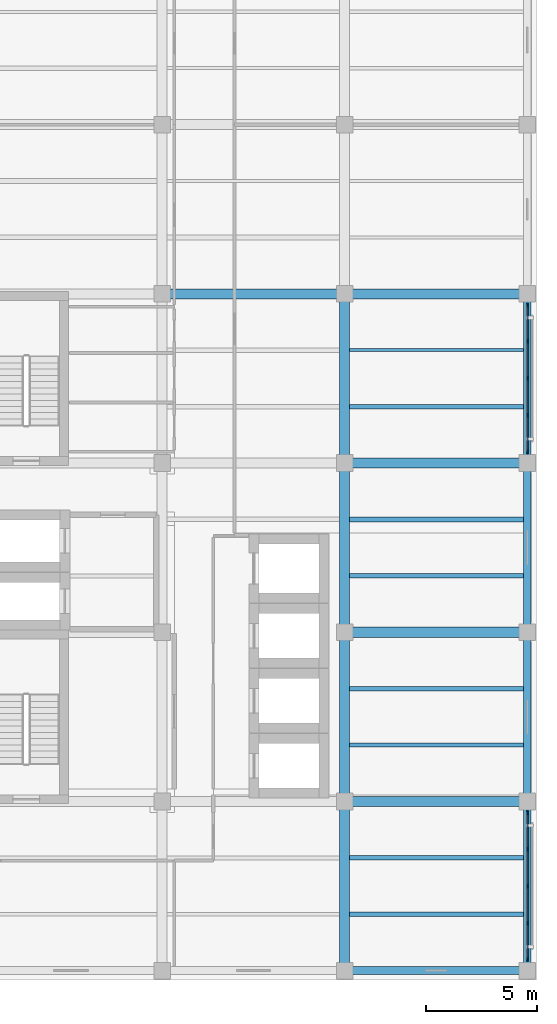
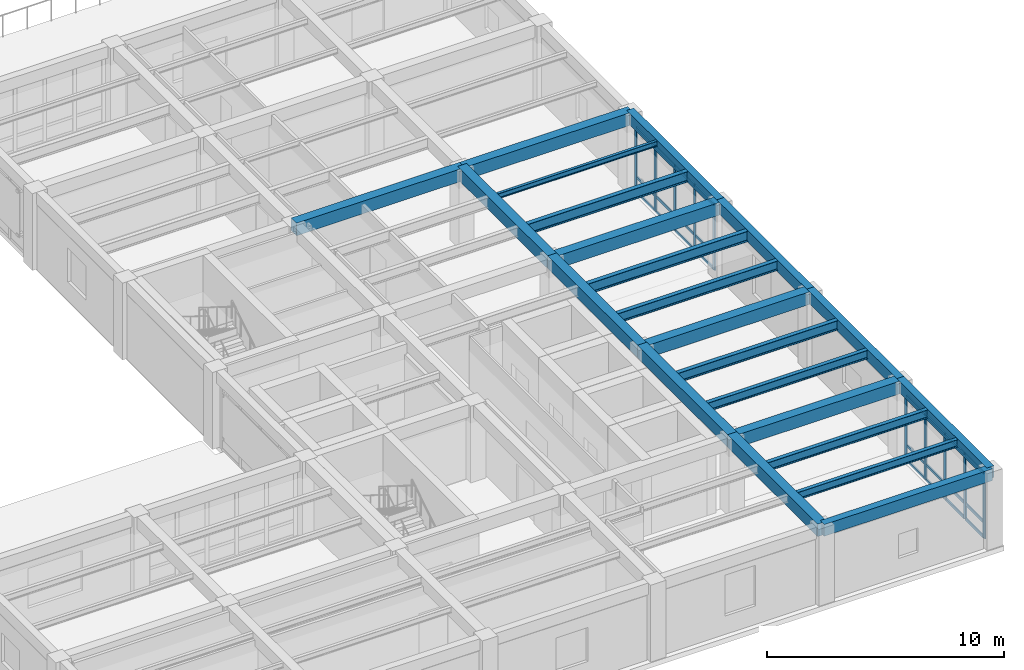
# One storey, part 3 of 12: 34 members, 22 beams, 2 elements without a shape of their own.
"""IFC4 building model written with IfcOpenShell, lengths in metres."""

from ifc_helpers import new_model, si_unit, direction, frame, origin, origin_2d, place, context, subcontext, project, spatial, rectangle, i_section, extrude, material, material_profile, profile_set, type_object, element, aggregate, save


model = new_model("IFC4")

# Units and contexts
model_context = context("Model", 3, precision=1e-05, world=origin(), true_north=direction((0.0, 1.0)))
body_context = subcontext(model_context, "Body", "Model", "MODEL_VIEW")
ifc_project = project(units=[si_unit("LENGTHUNIT", "METRE"), si_unit("AREAUNIT", "SQUARE_METRE"), si_unit("VOLUMEUNIT", "CUBIC_METRE"), si_unit("PLANEANGLEUNIT", "RADIAN"), si_unit("MASSUNIT", "GRAM", prefix="KILO")], contexts=[model_context])

# Site, building, storey
site_placement = place(None, origin())
site = spatial("IfcSite", under=ifc_project, at=site_placement, CompositionType="ELEMENT")
building_placement = place(site_placement, origin())
building = spatial("IfcBuilding", under=site, at=building_placement, Name="Qandaris Square Conservatory and Botanical Centre", CompositionType="ELEMENT")
storey_placement = place(building_placement, frame((0.0, 0.0, 53.39990234375)))
storey = spatial("IfcBuildingStorey", under=building, at=storey_placement, Name="L12", CompositionType="ELEMENT", Elevation=53.39990234375)

# Beams
ifc_material_1 = material(Name="Steel S355", Category="steel")
ifc_material_profile_1 = material_profile(ifc_material_1, i_section(OverallWidth=0.18994140625, OverallDepth=0.449951171875, WebThickness=0.009521484375, FlangeThickness=0.0146484375, FilletRadius=0.02099609375, at=origin_2d()), Name="IPE 450")
ifc_profile_set_1 = profile_set([ifc_material_profile_1], Name="Steel S355")
beam_type_1 = type_object("IfcBeamType", Name="Composite Archive Joist IPE 450", PredefinedType="JOIST", material=ifc_profile_set_1)
for number, where, z_axis, x_axis, name in (
    (1, (155.824951171875, 21.666748046875, 3.72509765625), (1.0, 0.0, 0.0), (0.0, 1.0, 0.0), "L12 Composite Joist 2723"),
    (2, (155.824951171875, 26.7333984375, 3.72509765625), (1.0, 0.0, 0.0), (0.0, 1.0, 0.0), "L12 Composite Joist 2724"),
):
    element("IfcBeam", number, at=place(storey_placement, frame(where, z_axis=z_axis, x_axis=x_axis)), inside=storey, type_object=beam_type_1, Name=name, PredefinedType="JOIST", context=body_context, shape_type="SweptSolid", body=[
        extrude(i_section(OverallWidth=0.18994140625, OverallDepth=0.449951171875, WebThickness=0.009521484375, FlangeThickness=0.0146484375, FilletRadius=0.02099609375, at=origin_2d()), origin(), (0.0, 0.0, 1.0), 7.800048828125),
    ])
ifc_material_profile_2 = material_profile(ifc_material_1, i_section(OverallWidth=0.199951171875, OverallDepth=0.5, WebThickness=0.01025390625, FlangeThickness=0.01611328125, FilletRadius=0.02099609375, at=origin_2d()), Name="IPE 500")
ifc_profile_set_2 = profile_set([ifc_material_profile_2], Name="Steel S355")
beam_type_2 = type_object("IfcBeamType", Name="Composite Gallery Joist IPE 500", PredefinedType="JOIST", material=ifc_profile_set_2)
for number, where, z_axis, x_axis, name in (
    (3, (155.824951171875, 29.2666015625, 3.7001953125), (1.0, 0.0, 0.0), (0.0, 1.0, 0.0), "L12 Composite Joist 2725"),
    (4, (155.824951171875, 34.333251953125, 3.7001953125), (1.0, 0.0, 0.0), (0.0, 1.0, 0.0), "L12 Composite Joist 2726"),
):
    element("IfcBeam", number, at=place(storey_placement, frame(where, z_axis=z_axis, x_axis=x_axis)), inside=storey, type_object=beam_type_2, Name=name, PredefinedType="JOIST", context=body_context, shape_type="SweptSolid", body=[
        extrude(i_section(OverallWidth=0.199951171875, OverallDepth=0.5, WebThickness=0.01025390625, FlangeThickness=0.01611328125, FilletRadius=0.02099609375, at=origin_2d()), origin(), (0.0, 0.0, 1.0), 7.800048828125),
    ])
ifc_material_profile_3 = material_profile(ifc_material_1, i_section(OverallWidth=0.179931640625, OverallDepth=0.39990234375, WebThickness=0.008544921875, FlangeThickness=0.013427734375, FilletRadius=0.02099609375, at=origin_2d()), Name="IPE 400")
ifc_profile_set_3 = profile_set([ifc_material_profile_3], Name="Steel S355")
beam_type_3 = type_object("IfcBeamType", Name="Composite Plinth Joist IPE 400", PredefinedType="JOIST", material=ifc_profile_set_3)
beam_1_placement = place(storey_placement, frame((155.824951171875, 19.13330078125, 3.75), z_axis=(1.0, 0.0, 0.0), x_axis=(0.0, 1.0, 0.0)))
element("IfcBeam", 5, at=beam_1_placement, inside=storey, type_object=beam_type_3, Name="L12 Composite Joist 2722", PredefinedType="JOIST", context=body_context, shape_type="SweptSolid", body=[
    extrude(i_section(OverallWidth=0.179931640625, OverallDepth=0.39990234375, WebThickness=0.008544921875, FlangeThickness=0.013427734375, FilletRadius=0.02099609375, at=origin_2d()), origin(), (0.0, 0.0, 1.0), 7.800048828125),
])

# Curtain wall, members
ifc_material_2 = material(Name="Anodised Aluminium", Category="aluminium")
curtain_wall_type = type_object("IfcCurtainWallType", Name="Unitised Curtain Wall CW-4-665x336", PredefinedType="USERDEFINED", material=ifc_material_2)
curtain_wall_1_placement = place(storey_placement, origin())
curtain_wall_1 = element("IfcCurtainWall", 6, at=curtain_wall_1_placement, inside=storey, type_object=curtain_wall_type, Name="Curtain Wall CW-TWR-L12-2-1", ObjectType="GLAZED CURTAIN WALL", PredefinedType="USERDEFINED")
ifc_material_profile_4 = material_profile(ifc_material_2, rectangle(XDim=0.06494140625, YDim=0.179931640625, at=origin_2d()), Name="ALU-MUL 65x180")
ifc_profile_set_4 = profile_set([ifc_material_profile_4], Name="Anodised Aluminium")
member_type_1 = type_object("IfcMemberType", Name="Curtain Wall Mullion 65x180", PredefinedType="MULLION", material=ifc_profile_set_4)
member_1_placement = place(storey_placement, frame((163.800048828125, 17.107421875, 0.0), z_axis=(0.0, 0.0, 1.0), x_axis=(-1.0, 0.0, 0.0)))
member_1 = element("IfcMember", 7, at=member_1_placement, type_object=member_type_1, Name="CW-4-665x336 mullion 1", PredefinedType="MULLION", context=body_context, shape_type="SweptSolid", body=[
    extrude(rectangle(XDim=0.06494140625, YDim=0.179931640625, at=origin_2d()), origin(), (0.0, 0.0, 1.0), 3.360107421875),
])
member_2_placement = place(storey_placement, frame((163.800048828125, 18.737548828125, 0.0), z_axis=(0.0, 0.0, 1.0), x_axis=(-1.0, 0.0, 0.0)))
member_2 = element("IfcMember", 8, at=member_2_placement, type_object=member_type_1, Name="CW-4-665x336 mullion 2", PredefinedType="MULLION", context=body_context, shape_type="SweptSolid", body=[
    extrude(rectangle(XDim=0.06494140625, YDim=0.179931640625, at=origin_2d()), origin(), (0.0, 0.0, 1.0), 3.360107421875),
])
member_3_placement = place(storey_placement, frame((163.800048828125, 20.39990234375, 0.0), z_axis=(0.0, 0.0, 1.0), x_axis=(-1.0, 0.0, 0.0)))
member_3 = element("IfcMember", 9, at=member_3_placement, type_object=member_type_1, Name="CW-4-665x336 mullion 3", PredefinedType="MULLION", context=body_context, shape_type="SweptSolid", body=[
    extrude(rectangle(XDim=0.06494140625, YDim=0.179931640625, at=origin_2d()), origin(), (0.0, 0.0, 1.0), 3.360107421875),
])
member_4_placement = place(storey_placement, frame((163.800048828125, 22.0625, 0.0), z_axis=(0.0, 0.0, 1.0), x_axis=(-1.0, 0.0, 0.0)))
member_4 = element("IfcMember", 10, at=member_4_placement, type_object=member_type_1, Name="CW-4-665x336 mullion 4", PredefinedType="MULLION", context=body_context, shape_type="SweptSolid", body=[
    extrude(rectangle(XDim=0.06494140625, YDim=0.179931640625, at=origin_2d()), origin(), (0.0, 0.0, 1.0), 3.360107421875),
])
member_5_placement = place(storey_placement, frame((163.800048828125, 23.6923828125, 0.0), z_axis=(0.0, 0.0, 1.0), x_axis=(-1.0, 0.0, 0.0)))
member_5 = element("IfcMember", 11, at=member_5_placement, type_object=member_type_1, Name="CW-4-665x336 mullion 5", PredefinedType="MULLION", context=body_context, shape_type="SweptSolid", body=[
    extrude(rectangle(XDim=0.06494140625, YDim=0.179931640625, at=origin_2d()), origin(), (0.0, 0.0, 1.0), 3.360107421875),
])

curtain_wall_2_placement = place(storey_placement, origin())
curtain_wall_2 = element("IfcCurtainWall", 12, at=curtain_wall_2_placement, inside=storey, type_object=curtain_wall_type, Name="Curtain Wall CW-TWR-L12-2-4", ObjectType="GLAZED CURTAIN WALL", PredefinedType="USERDEFINED")
member_6_placement = place(storey_placement, frame((163.800048828125, 39.907470703125, 0.0), z_axis=(0.0, 0.0, 1.0), x_axis=(-1.0, 0.0, 0.0)))
member_6 = element("IfcMember", 13, at=member_6_placement, type_object=member_type_1, Name="CW-4-665x336 mullion 1", PredefinedType="MULLION", context=body_context, shape_type="SweptSolid", body=[
    extrude(rectangle(XDim=0.06494140625, YDim=0.179931640625, at=origin_2d()), origin(), (0.0, 0.0, 1.0), 3.360107421875),
])
member_7_placement = place(storey_placement, frame((163.800048828125, 41.53759765625, 0.0), z_axis=(0.0, 0.0, 1.0), x_axis=(-1.0, 0.0, 0.0)))
member_7 = element("IfcMember", 14, at=member_7_placement, type_object=member_type_1, Name="CW-4-665x336 mullion 2", PredefinedType="MULLION", context=body_context, shape_type="SweptSolid", body=[
    extrude(rectangle(XDim=0.06494140625, YDim=0.179931640625, at=origin_2d()), origin(), (0.0, 0.0, 1.0), 3.360107421875),
])
member_8_placement = place(storey_placement, frame((163.800048828125, 43.199951171875, 0.0), z_axis=(0.0, 0.0, 1.0), x_axis=(-1.0, 0.0, 0.0)))
member_8 = element("IfcMember", 15, at=member_8_placement, type_object=member_type_1, Name="CW-4-665x336 mullion 3", PredefinedType="MULLION", context=body_context, shape_type="SweptSolid", body=[
    extrude(rectangle(XDim=0.06494140625, YDim=0.179931640625, at=origin_2d()), origin(), (0.0, 0.0, 1.0), 3.360107421875),
])
member_9_placement = place(storey_placement, frame((163.800048828125, 44.862548828125, 0.0), z_axis=(0.0, 0.0, 1.0), x_axis=(-1.0, 0.0, 0.0)))
member_9 = element("IfcMember", 16, at=member_9_placement, type_object=member_type_1, Name="CW-4-665x336 mullion 4", PredefinedType="MULLION", context=body_context, shape_type="SweptSolid", body=[
    extrude(rectangle(XDim=0.06494140625, YDim=0.179931640625, at=origin_2d()), origin(), (0.0, 0.0, 1.0), 3.360107421875),
])
member_10_placement = place(storey_placement, frame((163.800048828125, 46.492431640625, 0.0), z_axis=(0.0, 0.0, 1.0), x_axis=(-1.0, 0.0, 0.0)))
member_10 = element("IfcMember", 17, at=member_10_placement, type_object=member_type_1, Name="CW-4-665x336 mullion 5", PredefinedType="MULLION", context=body_context, shape_type="SweptSolid", body=[
    extrude(rectangle(XDim=0.06494140625, YDim=0.179931640625, at=origin_2d()), origin(), (0.0, 0.0, 1.0), 3.360107421875),
])

# Member
ifc_material_profile_5 = material_profile(ifc_material_2, rectangle(XDim=0.06494140625, YDim=0.139892578125, at=origin_2d()), Name="ALU-TRN 65x140")
ifc_profile_set_5 = profile_set([ifc_material_profile_5], Name="Anodised Aluminium")
member_type_2 = type_object("IfcMemberType", Name="Curtain Wall Transom 65x140", PredefinedType="USERDEFINED", material=ifc_profile_set_5)
member_11_placement = place(storey_placement, frame((163.800048828125, 17.139892578125, 0.03271484375), z_axis=(0.0, 1.0, 0.0), x_axis=(-1.0, 0.0, 0.0)))
member_11 = element("IfcMember", 18, at=member_11_placement, type_object=member_type_2, Name="CW-4-665x336 transom 1.1", ObjectType="TRANSOM", PredefinedType="USERDEFINED", context=body_context, shape_type="SweptSolid", body=[
    extrude(rectangle(XDim=0.06494140625, YDim=0.139892578125, at=origin_2d()), origin(), (0.0, 0.0, 1.0), 1.565185546875),
])

member_12_placement = place(storey_placement, frame((163.800048828125, 17.139892578125, 0.806396484375), z_axis=(0.0, 1.0, 0.0), x_axis=(-1.0, 0.0, 0.0)))
member_12 = element("IfcMember", 19, at=member_12_placement, type_object=member_type_2, Name="CW-4-665x336 transom 1.2", ObjectType="TRANSOM", PredefinedType="USERDEFINED", context=body_context, shape_type="SweptSolid", body=[
    extrude(rectangle(XDim=0.06494140625, YDim=0.139892578125, at=origin_2d()), origin(), (0.0, 0.0, 1.0), 1.565185546875),
])

member_13_placement = place(storey_placement, frame((163.800048828125, 17.139892578125, 3.32763671875), z_axis=(0.0, 1.0, 0.0), x_axis=(-1.0, 0.0, 0.0)))
member_13 = element("IfcMember", 20, at=member_13_placement, type_object=member_type_2, Name="CW-4-665x336 transom 1.3", ObjectType="TRANSOM", PredefinedType="USERDEFINED", context=body_context, shape_type="SweptSolid", body=[
    extrude(rectangle(XDim=0.06494140625, YDim=0.139892578125, at=origin_2d()), origin(), (0.0, 0.0, 1.0), 1.565185546875),
])

member_14_placement = place(storey_placement, frame((163.800048828125, 18.77001953125, 0.03271484375), z_axis=(0.0, 1.0, 0.0), x_axis=(-1.0, 0.0, 0.0)))
member_14 = element("IfcMember", 21, at=member_14_placement, type_object=member_type_2, Name="CW-4-665x336 transom 2.1", ObjectType="TRANSOM", PredefinedType="USERDEFINED", context=body_context, shape_type="SweptSolid", body=[
    extrude(rectangle(XDim=0.06494140625, YDim=0.139892578125, at=origin_2d()), origin(), (0.0, 0.0, 1.0), 1.597412109375),
])

member_15_placement = place(storey_placement, frame((163.800048828125, 18.77001953125, 0.806396484375), z_axis=(0.0, 1.0, 0.0), x_axis=(-1.0, 0.0, 0.0)))
member_15 = element("IfcMember", 22, at=member_15_placement, type_object=member_type_2, Name="CW-4-665x336 transom 2.2", ObjectType="TRANSOM", PredefinedType="USERDEFINED", context=body_context, shape_type="SweptSolid", body=[
    extrude(rectangle(XDim=0.06494140625, YDim=0.139892578125, at=origin_2d()), origin(), (0.0, 0.0, 1.0), 1.597412109375),
])

member_16_placement = place(storey_placement, frame((163.800048828125, 18.77001953125, 3.32763671875), z_axis=(0.0, 1.0, 0.0), x_axis=(-1.0, 0.0, 0.0)))
member_16 = element("IfcMember", 23, at=member_16_placement, type_object=member_type_2, Name="CW-4-665x336 transom 2.3", ObjectType="TRANSOM", PredefinedType="USERDEFINED", context=body_context, shape_type="SweptSolid", body=[
    extrude(rectangle(XDim=0.06494140625, YDim=0.139892578125, at=origin_2d()), origin(), (0.0, 0.0, 1.0), 1.597412109375),
])

member_17_placement = place(storey_placement, frame((163.800048828125, 20.4326171875, 0.03271484375), z_axis=(0.0, 1.0, 0.0), x_axis=(-1.0, 0.0, 0.0)))
member_17 = element("IfcMember", 24, at=member_17_placement, type_object=member_type_2, Name="CW-4-665x336 transom 3.1", ObjectType="TRANSOM", PredefinedType="USERDEFINED", context=body_context, shape_type="SweptSolid", body=[
    extrude(rectangle(XDim=0.06494140625, YDim=0.139892578125, at=origin_2d()), origin(), (0.0, 0.0, 1.0), 1.597412109375),
])

member_18_placement = place(storey_placement, frame((163.800048828125, 20.4326171875, 0.806396484375), z_axis=(0.0, 1.0, 0.0), x_axis=(-1.0, 0.0, 0.0)))
member_18 = element("IfcMember", 25, at=member_18_placement, type_object=member_type_2, Name="CW-4-665x336 transom 3.2", ObjectType="TRANSOM", PredefinedType="USERDEFINED", context=body_context, shape_type="SweptSolid", body=[
    extrude(rectangle(XDim=0.06494140625, YDim=0.139892578125, at=origin_2d()), origin(), (0.0, 0.0, 1.0), 1.597412109375),
])

member_19_placement = place(storey_placement, frame((163.800048828125, 20.4326171875, 3.32763671875), z_axis=(0.0, 1.0, 0.0), x_axis=(-1.0, 0.0, 0.0)))
member_19 = element("IfcMember", 26, at=member_19_placement, type_object=member_type_2, Name="CW-4-665x336 transom 3.3", ObjectType="TRANSOM", PredefinedType="USERDEFINED", context=body_context, shape_type="SweptSolid", body=[
    extrude(rectangle(XDim=0.06494140625, YDim=0.139892578125, at=origin_2d()), origin(), (0.0, 0.0, 1.0), 1.597412109375),
])

member_20_placement = place(storey_placement, frame((163.800048828125, 22.094970703125, 0.03271484375), z_axis=(0.0, 1.0, 0.0), x_axis=(-1.0, 0.0, 0.0)))
member_20 = element("IfcMember", 27, at=member_20_placement, type_object=member_type_2, Name="CW-4-665x336 transom 4.1", ObjectType="TRANSOM", PredefinedType="USERDEFINED", context=body_context, shape_type="SweptSolid", body=[
    extrude(rectangle(XDim=0.06494140625, YDim=0.139892578125, at=origin_2d()), origin(), (0.0, 0.0, 1.0), 1.56494140625),
])

member_21_placement = place(storey_placement, frame((163.800048828125, 22.094970703125, 0.806396484375), z_axis=(0.0, 1.0, 0.0), x_axis=(-1.0, 0.0, 0.0)))
member_21 = element("IfcMember", 28, at=member_21_placement, type_object=member_type_2, Name="CW-4-665x336 transom 4.2", ObjectType="TRANSOM", PredefinedType="USERDEFINED", context=body_context, shape_type="SweptSolid", body=[
    extrude(rectangle(XDim=0.06494140625, YDim=0.139892578125, at=origin_2d()), origin(), (0.0, 0.0, 1.0), 1.56494140625),
])

member_22_placement = place(storey_placement, frame((163.800048828125, 22.094970703125, 3.32763671875), z_axis=(0.0, 1.0, 0.0), x_axis=(-1.0, 0.0, 0.0)))
member_22 = element("IfcMember", 29, at=member_22_placement, type_object=member_type_2, Name="CW-4-665x336 transom 4.3", ObjectType="TRANSOM", PredefinedType="USERDEFINED", context=body_context, shape_type="SweptSolid", body=[
    extrude(rectangle(XDim=0.06494140625, YDim=0.139892578125, at=origin_2d()), origin(), (0.0, 0.0, 1.0), 1.56494140625),
])

aggregate(curtain_wall_1, [member_1, member_2, member_3, member_4, member_5, member_11, member_12, member_13, member_14, member_15, member_16, member_17, member_18, member_19, member_20, member_21, member_22])

member_23_placement = place(storey_placement, frame((163.800048828125, 39.93994140625, 0.03271484375), z_axis=(0.0, 1.0, 0.0), x_axis=(-1.0, 0.0, 0.0)))
member_23 = element("IfcMember", 30, at=member_23_placement, type_object=member_type_2, Name="CW-4-665x336 transom 1.1", ObjectType="TRANSOM", PredefinedType="USERDEFINED", context=body_context, shape_type="SweptSolid", body=[
    extrude(rectangle(XDim=0.06494140625, YDim=0.139892578125, at=origin_2d()), origin(), (0.0, 0.0, 1.0), 1.56494140625),
])

member_24_placement = place(storey_placement, frame((163.800048828125, 39.93994140625, 0.806396484375), z_axis=(0.0, 1.0, 0.0), x_axis=(-1.0, 0.0, 0.0)))
member_24 = element("IfcMember", 31, at=member_24_placement, type_object=member_type_2, Name="CW-4-665x336 transom 1.2", ObjectType="TRANSOM", PredefinedType="USERDEFINED", context=body_context, shape_type="SweptSolid", body=[
    extrude(rectangle(XDim=0.06494140625, YDim=0.139892578125, at=origin_2d()), origin(), (0.0, 0.0, 1.0), 1.56494140625),
])

member_25_placement = place(storey_placement, frame((163.800048828125, 39.93994140625, 3.32763671875), z_axis=(0.0, 1.0, 0.0), x_axis=(-1.0, 0.0, 0.0)))
member_25 = element("IfcMember", 32, at=member_25_placement, type_object=member_type_2, Name="CW-4-665x336 transom 1.3", ObjectType="TRANSOM", PredefinedType="USERDEFINED", context=body_context, shape_type="SweptSolid", body=[
    extrude(rectangle(XDim=0.06494140625, YDim=0.139892578125, at=origin_2d()), origin(), (0.0, 0.0, 1.0), 1.56494140625),
])

member_26_placement = place(storey_placement, frame((163.800048828125, 41.570068359375, 0.03271484375), z_axis=(0.0, 1.0, 0.0), x_axis=(-1.0, 0.0, 0.0)))
member_26 = element("IfcMember", 33, at=member_26_placement, type_object=member_type_2, Name="CW-4-665x336 transom 2.1", ObjectType="TRANSOM", PredefinedType="USERDEFINED", context=body_context, shape_type="SweptSolid", body=[
    extrude(rectangle(XDim=0.06494140625, YDim=0.139892578125, at=origin_2d()), origin(), (0.0, 0.0, 1.0), 1.597412109375),
])

member_27_placement = place(storey_placement, frame((163.800048828125, 41.570068359375, 0.806396484375), z_axis=(0.0, 1.0, 0.0), x_axis=(-1.0, 0.0, 0.0)))
member_27 = element("IfcMember", 34, at=member_27_placement, type_object=member_type_2, Name="CW-4-665x336 transom 2.2", ObjectType="TRANSOM", PredefinedType="USERDEFINED", context=body_context, shape_type="SweptSolid", body=[
    extrude(rectangle(XDim=0.06494140625, YDim=0.139892578125, at=origin_2d()), origin(), (0.0, 0.0, 1.0), 1.597412109375),
])

member_28_placement = place(storey_placement, frame((163.800048828125, 41.570068359375, 3.32763671875), z_axis=(0.0, 1.0, 0.0), x_axis=(-1.0, 0.0, 0.0)))
member_28 = element("IfcMember", 35, at=member_28_placement, type_object=member_type_2, Name="CW-4-665x336 transom 2.3", ObjectType="TRANSOM", PredefinedType="USERDEFINED", context=body_context, shape_type="SweptSolid", body=[
    extrude(rectangle(XDim=0.06494140625, YDim=0.139892578125, at=origin_2d()), origin(), (0.0, 0.0, 1.0), 1.597412109375),
])

member_29_placement = place(storey_placement, frame((163.800048828125, 43.232421875, 0.03271484375), z_axis=(0.0, 1.0, 0.0), x_axis=(-1.0, 0.0, 0.0)))
member_29 = element("IfcMember", 36, at=member_29_placement, type_object=member_type_2, Name="CW-4-665x336 transom 3.1", ObjectType="TRANSOM", PredefinedType="USERDEFINED", context=body_context, shape_type="SweptSolid", body=[
    extrude(rectangle(XDim=0.06494140625, YDim=0.139892578125, at=origin_2d()), origin(), (0.0, 0.0, 1.0), 1.59765625),
])

member_30_placement = place(storey_placement, frame((163.800048828125, 43.232421875, 0.806396484375), z_axis=(0.0, 1.0, 0.0), x_axis=(-1.0, 0.0, 0.0)))
member_30 = element("IfcMember", 37, at=member_30_placement, type_object=member_type_2, Name="CW-4-665x336 transom 3.2", ObjectType="TRANSOM", PredefinedType="USERDEFINED", context=body_context, shape_type="SweptSolid", body=[
    extrude(rectangle(XDim=0.06494140625, YDim=0.139892578125, at=origin_2d()), origin(), (0.0, 0.0, 1.0), 1.59765625),
])

member_31_placement = place(storey_placement, frame((163.800048828125, 43.232421875, 3.32763671875), z_axis=(0.0, 1.0, 0.0), x_axis=(-1.0, 0.0, 0.0)))
member_31 = element("IfcMember", 38, at=member_31_placement, type_object=member_type_2, Name="CW-4-665x336 transom 3.3", ObjectType="TRANSOM", PredefinedType="USERDEFINED", context=body_context, shape_type="SweptSolid", body=[
    extrude(rectangle(XDim=0.06494140625, YDim=0.139892578125, at=origin_2d()), origin(), (0.0, 0.0, 1.0), 1.59765625),
])

member_32_placement = place(storey_placement, frame((163.800048828125, 44.89501953125, 0.03271484375), z_axis=(0.0, 1.0, 0.0), x_axis=(-1.0, 0.0, 0.0)))
member_32 = element("IfcMember", 39, at=member_32_placement, type_object=member_type_2, Name="CW-4-665x336 transom 4.1", ObjectType="TRANSOM", PredefinedType="USERDEFINED", context=body_context, shape_type="SweptSolid", body=[
    extrude(rectangle(XDim=0.06494140625, YDim=0.139892578125, at=origin_2d()), origin(), (0.0, 0.0, 1.0), 1.56494140625),
])

member_33_placement = place(storey_placement, frame((163.800048828125, 44.89501953125, 0.806396484375), z_axis=(0.0, 1.0, 0.0), x_axis=(-1.0, 0.0, 0.0)))
member_33 = element("IfcMember", 40, at=member_33_placement, type_object=member_type_2, Name="CW-4-665x336 transom 4.2", ObjectType="TRANSOM", PredefinedType="USERDEFINED", context=body_context, shape_type="SweptSolid", body=[
    extrude(rectangle(XDim=0.06494140625, YDim=0.139892578125, at=origin_2d()), origin(), (0.0, 0.0, 1.0), 1.56494140625),
])

member_34_placement = place(storey_placement, frame((163.800048828125, 44.89501953125, 3.32763671875), z_axis=(0.0, 1.0, 0.0), x_axis=(-1.0, 0.0, 0.0)))
member_34 = element("IfcMember", 41, at=member_34_placement, type_object=member_type_2, Name="CW-4-665x336 transom 4.3", ObjectType="TRANSOM", PredefinedType="USERDEFINED", context=body_context, shape_type="SweptSolid", body=[
    extrude(rectangle(XDim=0.06494140625, YDim=0.139892578125, at=origin_2d()), origin(), (0.0, 0.0, 1.0), 1.56494140625),
])

aggregate(curtain_wall_2, [member_6, member_7, member_8, member_9, member_10, member_23, member_24, member_25, member_26, member_27, member_28, member_29, member_30, member_31, member_32, member_33, member_34])

# Beams
ifc_material_profile_6 = material_profile(ifc_material_1, i_section(OverallWidth=0.2099609375, OverallDepth=0.550048828125, WebThickness=0.010986328125, FlangeThickness=0.01708984375, FilletRadius=0.02392578125, at=origin_2d()), Name="IPE 550")
ifc_profile_set_6 = profile_set([ifc_material_profile_6], Name="Steel S355")
beam_type_4 = type_object("IfcBeamType", Name="Long-Span Foyer Joist IPE 550", PredefinedType="JOIST", material=ifc_profile_set_6)
for number, where, z_axis, x_axis, name in (
    (42, (155.824951171875, 36.86669921875, 3.675048828125), (1.0, 0.0, 0.0), (0.0, 1.0, 0.0), "L12 Composite Joist 2727"),
    (43, (155.824951171875, 41.933349609375, 3.675048828125), (1.0, 0.0, 0.0), (0.0, 1.0, 0.0), "L12 Composite Joist 2728"),
):
    element("IfcBeam", number, at=place(storey_placement, frame(where, z_axis=z_axis, x_axis=x_axis)), inside=storey, type_object=beam_type_4, Name=name, PredefinedType="JOIST", context=body_context, shape_type="SweptSolid", body=[
        extrude(i_section(OverallWidth=0.2099609375, OverallDepth=0.550048828125, WebThickness=0.010986328125, FlangeThickness=0.01708984375, FilletRadius=0.02392578125, at=origin_2d()), origin(), (0.0, 0.0, 1.0), 7.800048828125),
    ])
ifc_material_3 = material(Name="Concrete C50/60", Category="concrete")
ifc_material_profile_7 = material_profile(ifc_material_3, rectangle(XDim=0.35009765625, YDim=0.60009765625, at=origin_2d()), Name="RC-SP 350x600")
ifc_profile_set_7 = profile_set([ifc_material_profile_7], Name="Concrete C50/60")
beam_type_5 = type_object("IfcBeamType", Name="RC Edge Spandrel Beam 350x600", PredefinedType="SPANDREL", material=ifc_profile_set_7)
beam_2_placement = place(storey_placement, frame((155.60009765625, 16.60009765625, 3.66015625), z_axis=(1.0, 0.0, 0.0), x_axis=(0.0, 1.0, 0.0)))
element("IfcBeam", 44, at=beam_2_placement, inside=storey, type_object=beam_type_5, Name="L12 Frame Beam 2648", PredefinedType="SPANDREL", context=body_context, shape_type="SweptSolid", body=[
    extrude(rectangle(XDim=0.35009765625, YDim=0.60009765625, at=origin_2d()), origin(), (0.0, 0.0, 1.0), 8.199951171875),
])
beam_3_placement = place(storey_placement, frame((163.800048828125, 16.60009765625, 3.66015625), z_axis=(0.0, 1.0, 0.0), x_axis=(-1.0, 0.0, 0.0)))
element("IfcBeam", 45, at=beam_3_placement, inside=storey, type_object=beam_type_5, Name="L12 Frame Beam 2692", PredefinedType="SPANDREL", context=body_context, shape_type="SweptSolid", body=[
    extrude(rectangle(XDim=0.35009765625, YDim=0.60009765625, at=origin_2d()), origin(), (0.0, 0.0, 1.0), 7.599853515625),
])
beam_4_placement = place(storey_placement, frame((163.800048828125, 24.199951171875, 3.66015625), z_axis=(0.0, 1.0, 0.0), x_axis=(-1.0, 0.0, 0.0)))
element("IfcBeam", 46, at=beam_4_placement, inside=storey, type_object=beam_type_5, Name="L12 Frame Beam 2693", PredefinedType="SPANDREL", context=body_context, shape_type="SweptSolid", body=[
    extrude(rectangle(XDim=0.35009765625, YDim=0.60009765625, at=origin_2d()), origin(), (0.0, 0.0, 1.0), 7.60009765625),
])
beam_5_placement = place(storey_placement, frame((163.800048828125, 31.800048828125, 3.66015625), z_axis=(0.0, 1.0, 0.0), x_axis=(-1.0, 0.0, 0.0)))
element("IfcBeam", 47, at=beam_5_placement, inside=storey, type_object=beam_type_5, Name="L12 Frame Beam 2694", PredefinedType="SPANDREL", context=body_context, shape_type="SweptSolid", body=[
    extrude(rectangle(XDim=0.35009765625, YDim=0.60009765625, at=origin_2d()), origin(), (0.0, 0.0, 1.0), 7.599853515625),
])
beam_6_placement = place(storey_placement, frame((163.800048828125, 39.39990234375, 3.66015625), z_axis=(0.0, 1.0, 0.0), x_axis=(-1.0, 0.0, 0.0)))
element("IfcBeam", 48, at=beam_6_placement, inside=storey, type_object=beam_type_5, Name="L12 Frame Beam 2695", PredefinedType="SPANDREL", context=body_context, shape_type="SweptSolid", body=[
    extrude(rectangle(XDim=0.35009765625, YDim=0.60009765625, at=origin_2d()), origin(), (0.0, 0.0, 1.0), 7.60009765625),
])
ifc_material_profile_8 = material_profile(ifc_material_3, rectangle(XDim=0.449951171875, YDim=0.64990234375, at=origin_2d()), Name="RC-BM 450x650")
ifc_profile_set_8 = profile_set([ifc_material_profile_8], Name="Concrete C50/60")
beam_type_6 = type_object("IfcBeamType", Name="RC Floor Girder 450x650", PredefinedType="BEAM", material=ifc_profile_set_8)
for number, where, z_axis, x_axis, name in (
    (49, (155.60009765625, 24.199951171875, 3.635009765625), (1.0, 0.0, 0.0), (0.0, 1.0, 0.0), "L12 Frame Beam 2653"),
    (50, (155.60009765625, 31.800048828125, 3.635009765625), (1.0, 0.0, 0.0), (0.0, 1.0, 0.0), "L12 Frame Beam 2657"),
    (51, (155.60009765625, 39.39990234375, 3.635009765625), (1.0, 0.0, 0.0), (0.0, 1.0, 0.0), "L12 Frame Beam 2660"),
):
    element("IfcBeam", number, at=place(storey_placement, frame(where, z_axis=z_axis, x_axis=x_axis)), inside=storey, type_object=beam_type_6, Name=name, PredefinedType="BEAM", context=body_context, shape_type="SweptSolid", body=[
        extrude(rectangle(XDim=0.449951171875, YDim=0.64990234375, at=origin_2d()), origin(), (0.0, 0.0, 1.0), 8.199951171875),
    ])
beam_7_placement = place(storey_placement, frame((147.39990234375, 47.0, 3.635009765625), z_axis=(1.0, 0.0, 0.0), x_axis=(0.0, 1.0, 0.0)))
element("IfcBeam", 52, at=beam_7_placement, inside=storey, type_object=beam_type_6, Name="L12 Frame Beam 2662", PredefinedType="BEAM", context=body_context, shape_type="SweptSolid", body=[
    extrude(rectangle(XDim=0.449951171875, YDim=0.64990234375, at=origin_2d()), origin(), (0.0, 0.0, 1.0), 8.2001953125),
])
beam_8_placement = place(storey_placement, frame((155.60009765625, 47.0, 3.635009765625), z_axis=(1.0, 0.0, 0.0), x_axis=(0.0, 1.0, 0.0)))
element("IfcBeam", 53, at=beam_8_placement, inside=storey, type_object=beam_type_6, Name="L12 Frame Beam 2663", PredefinedType="BEAM", context=body_context, shape_type="SweptSolid", body=[
    extrude(rectangle(XDim=0.449951171875, YDim=0.64990234375, at=origin_2d()), origin(), (0.0, 0.0, 1.0), 8.199951171875),
])
beam_9_placement = place(storey_placement, frame((155.60009765625, 16.60009765625, 3.635009765625), z_axis=(0.0, 1.0, 0.0), x_axis=(-1.0, 0.0, 0.0)))
element("IfcBeam", 54, at=beam_9_placement, inside=storey, type_object=beam_type_6, Name="L12 Frame Beam 2686", PredefinedType="BEAM", context=body_context, shape_type="SweptSolid", body=[
    extrude(rectangle(XDim=0.449951171875, YDim=0.64990234375, at=origin_2d()), origin(), (0.0, 0.0, 1.0), 7.599853515625),
])
beam_10_placement = place(storey_placement, frame((155.60009765625, 24.199951171875, 3.635009765625), z_axis=(0.0, 1.0, 0.0), x_axis=(-1.0, 0.0, 0.0)))
element("IfcBeam", 55, at=beam_10_placement, inside=storey, type_object=beam_type_6, Name="L12 Frame Beam 2687", PredefinedType="BEAM", context=body_context, shape_type="SweptSolid", body=[
    extrude(rectangle(XDim=0.449951171875, YDim=0.64990234375, at=origin_2d()), origin(), (0.0, 0.0, 1.0), 7.60009765625),
])
beam_11_placement = place(storey_placement, frame((155.60009765625, 31.800048828125, 3.635009765625), z_axis=(0.0, 1.0, 0.0), x_axis=(-1.0, 0.0, 0.0)))
element("IfcBeam", 56, at=beam_11_placement, inside=storey, type_object=beam_type_6, Name="L12 Frame Beam 2688", PredefinedType="BEAM", context=body_context, shape_type="SweptSolid", body=[
    extrude(rectangle(XDim=0.449951171875, YDim=0.64990234375, at=origin_2d()), origin(), (0.0, 0.0, 1.0), 7.599853515625),
])
beam_12_placement = place(storey_placement, frame((155.60009765625, 39.39990234375, 3.635009765625), z_axis=(0.0, 1.0, 0.0), x_axis=(-1.0, 0.0, 0.0)))
element("IfcBeam", 57, at=beam_12_placement, inside=storey, type_object=beam_type_6, Name="L12 Frame Beam 2689", PredefinedType="BEAM", context=body_context, shape_type="SweptSolid", body=[
    extrude(rectangle(XDim=0.449951171875, YDim=0.64990234375, at=origin_2d()), origin(), (0.0, 0.0, 1.0), 7.60009765625),
])
ifc_material_profile_9 = material_profile(ifc_material_1, i_section(OverallWidth=0.135009765625, OverallDepth=0.27001953125, WebThickness=0.006591796875, FlangeThickness=0.01025390625, FilletRadius=0.014892578125, at=origin_2d()), Name="IPE 270")
ifc_profile_set_9 = profile_set([ifc_material_profile_9], Name="Steel S355")
beam_type_7 = type_object("IfcBeamType", Name="Steel Floor Joist IPE 270", PredefinedType="JOIST", material=ifc_profile_set_9)
beam_13_placement = place(storey_placement, frame((155.824951171875, 44.466796875, 3.815185546875), z_axis=(1.0, 0.0, 0.0), x_axis=(0.0, 1.0, 0.0)))
element("IfcBeam", 58, at=beam_13_placement, inside=storey, type_object=beam_type_7, Name="L12 Composite Joist 2729", PredefinedType="JOIST", context=body_context, shape_type="SweptSolid", body=[
    extrude(i_section(OverallWidth=0.135009765625, OverallDepth=0.27001953125, WebThickness=0.006591796875, FlangeThickness=0.01025390625, FilletRadius=0.014892578125, at=origin_2d()), origin(), (0.0, 0.0, 1.0), 7.800048828125),
])

save(model, "model.ifc")
